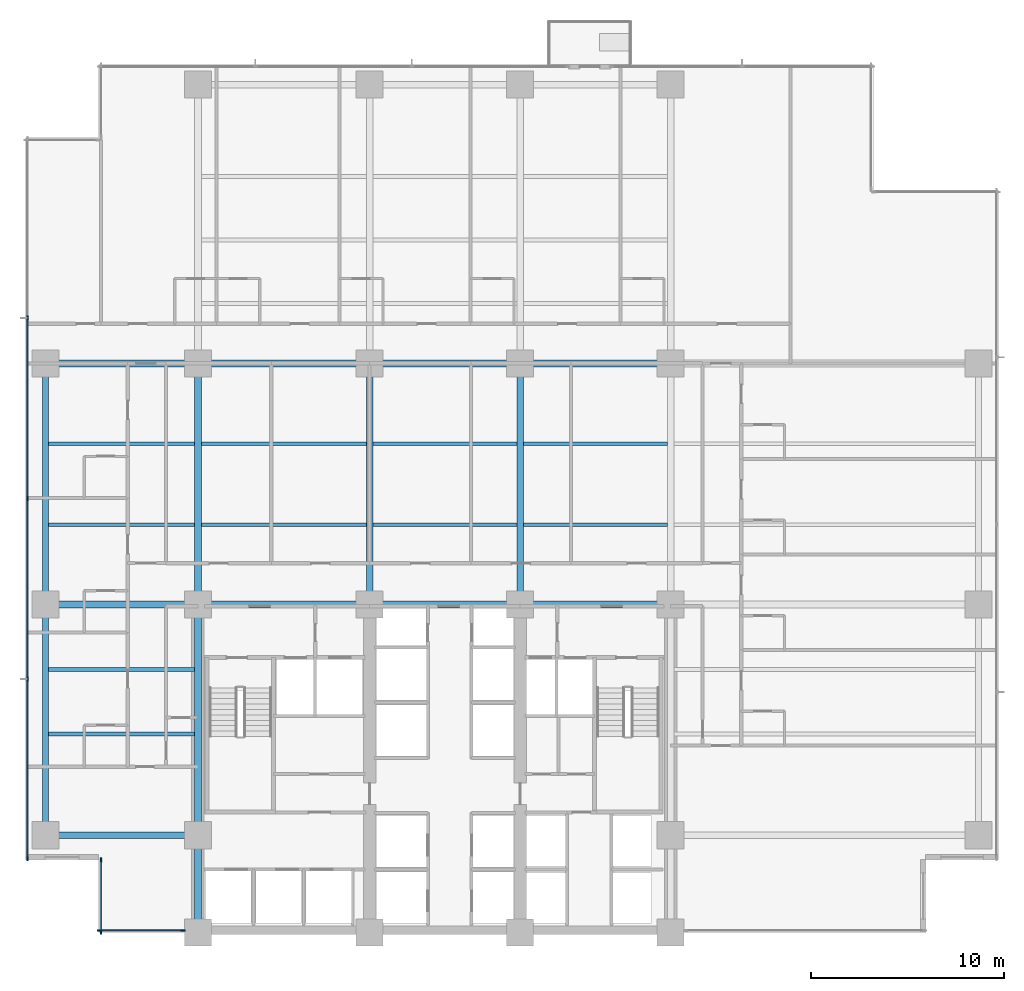
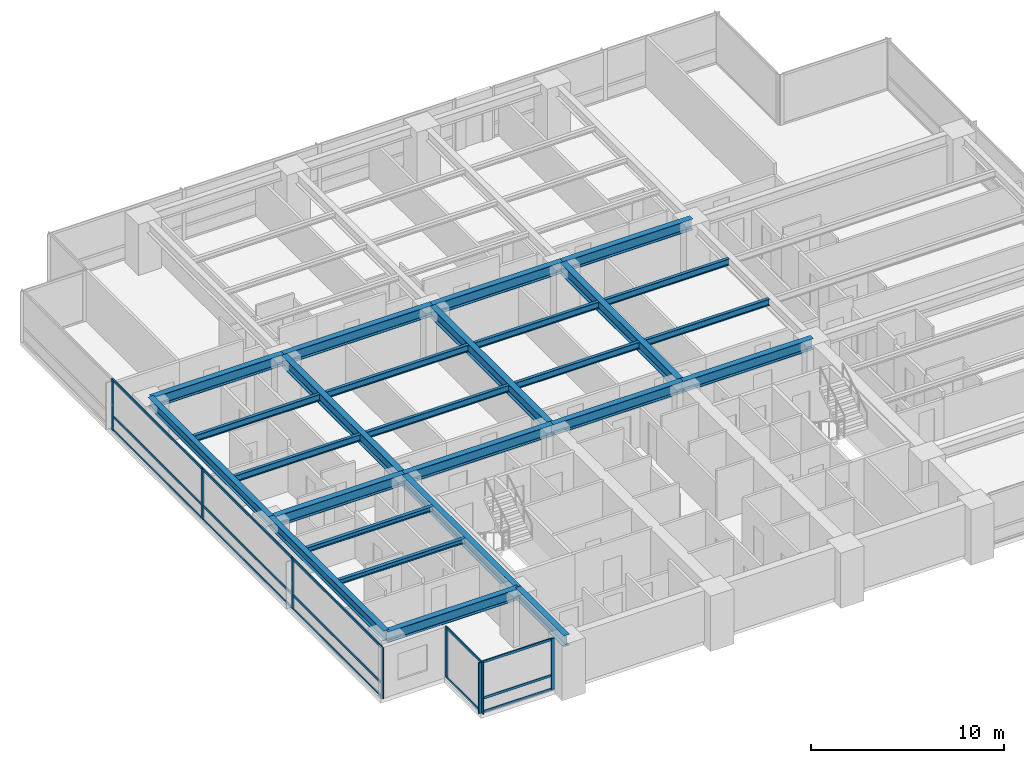
# One storey, part 2 of 17: 26 beams, 22 members, 3 elements without a shape of their own.
"""IFC4 building model written with IfcOpenShell, lengths in metres."""

from ifc_helpers import new_model, si_unit, direction, frame, origin, origin_2d, place, context, subcontext, project, spatial, rectangle, i_section, extrude, material, layer, layer_set, material_profile, profile_set, type_object, element, aggregate, save


model = new_model("IFC4")

# Units and contexts
model_context = context("Model", 3, precision=1e-05, world=origin(), true_north=direction((0.0, 1.0)))
body_context = subcontext(model_context, "Body", "Model", "MODEL_VIEW")
ifc_project = project(units=[si_unit("LENGTHUNIT", "METRE"), si_unit("AREAUNIT", "SQUARE_METRE"), si_unit("VOLUMEUNIT", "CUBIC_METRE"), si_unit("PLANEANGLEUNIT", "RADIAN"), si_unit("MASSUNIT", "GRAM", prefix="KILO")], contexts=[model_context])

# Site, building, storey
site_placement = place(None, origin())
site = spatial("IfcSite", under=ifc_project, at=site_placement, CompositionType="ELEMENT")
building_placement = place(site_placement, origin())
building = spatial("IfcBuilding", under=site, at=building_placement, Name="Qalmaran Belvedere Hotel", CompositionType="ELEMENT")
storey_placement = place(building_placement, frame((0.0, 0.0, 40.39990234375)))
storey = spatial("IfcBuildingStorey", under=building, at=storey_placement, Name="L09", CompositionType="ELEMENT", Elevation=40.39990234375)

# Beams
ifc_material_1 = material(Name="Steel S355JR", Category="steel")
ifc_material_profile_1 = material_profile(ifc_material_1, i_section(OverallWidth=0.202880859375, OverallDepth=0.302978515625, WebThickness=0.007568359375, FlangeThickness=0.01318359375, FilletRadius=0.012939453125, at=origin_2d()), Name="W310X60")
ifc_profile_set_1 = profile_set([ifc_material_profile_1], Name="Steel S355JR")
beam_type_1 = type_object("IfcBeamType", Name="BM-JST-W310X60", PredefinedType="JOIST", material=ifc_profile_set_1)
for number, where, z_axis, x_axis, name in (
    (1, (12.5615234375, 13.800048828125, 3.068603515625), (1.0, 0.0, 0.0), (0.0, 1.0, 0.0), "L09 West Wing Joist 038"),
    (2, (12.5615234375, 17.14990234375, 3.068603515625), (1.0, 0.0, 0.0), (0.0, 1.0, 0.0), "L09 West Wing Joist 040"),
):
    element("IfcBeam", number, at=place(storey_placement, frame(where, z_axis=z_axis, x_axis=x_axis)), inside=storey, type_object=beam_type_1, Name=name, PredefinedType="JOIST", context=body_context, shape_type="SweptSolid", body=[
        extrude(i_section(OverallWidth=0.202880859375, OverallDepth=0.302978515625, WebThickness=0.007568359375, FlangeThickness=0.01318359375, FilletRadius=0.012939453125, at=origin_2d()), origin(), (0.0, 0.0, 1.0), 7.56298828125),
    ])
ifc_material_profile_2 = material_profile(ifc_material_1, i_section(OverallWidth=0.180908203125, OverallDepth=0.4169921875, WebThickness=0.010986328125, FlangeThickness=0.018310546875, FilletRadius=0.014892578125, at=origin_2d()), Name="W410X85")
ifc_profile_set_2 = profile_set([ifc_material_profile_2], Name="Steel S355JR")
beam_type_2 = type_object("IfcBeamType", Name="BM-SB1-W410X85", PredefinedType="BEAM", material=ifc_profile_set_2)
beam_1_placement = place(storey_placement, frame((12.5615234375, 24.64990234375, 3.01171875), z_axis=(1.0, 0.0, 0.0), x_axis=(0.0, 1.0, 0.0)))
element("IfcBeam", 3, at=beam_1_placement, inside=storey, type_object=beam_type_2, Name="L09 West Secondary Beam 028", PredefinedType="BEAM", context=body_context, shape_type="SweptSolid", body=[
    extrude(i_section(OverallWidth=0.180908203125, OverallDepth=0.4169921875, WebThickness=0.010986328125, FlangeThickness=0.018310546875, FilletRadius=0.014892578125, at=origin_2d()), origin(), (0.0, 0.0, 1.0), 7.56298828125),
])
beam_2_placement = place(storey_placement, frame((20.4755859375, 24.64990234375, 3.01171875), z_axis=(1.0, 0.0, 0.0), x_axis=(0.0, 1.0, 0.0)))
element("IfcBeam", 4, at=beam_2_placement, inside=storey, type_object=beam_type_2, Name="L09 Secondary Floor Beam 029", PredefinedType="BEAM", context=body_context, shape_type="SweptSolid", body=[
    extrude(i_section(OverallWidth=0.180908203125, OverallDepth=0.4169921875, WebThickness=0.010986328125, FlangeThickness=0.018310546875, FilletRadius=0.014892578125, at=origin_2d()), origin(), (0.0, 0.0, 1.0), 8.548828125),
])
for number, where, z_axis, x_axis, name in (
    (5, (29.37548828125, 24.64990234375, 3.01171875), (1.0, 0.0, 0.0), (0.0, 1.0, 0.0), "L09 Secondary Floor Beam 030"),
    (6, (37.175537109375, 24.64990234375, 3.01171875), (1.0, 0.0, 0.0), (0.0, 1.0, 0.0), "L09 Secondary Floor Beam 031"),
):
    element("IfcBeam", number, at=place(storey_placement, frame(where, z_axis=z_axis, x_axis=x_axis)), inside=storey, type_object=beam_type_2, Name=name, PredefinedType="BEAM", context=body_context, shape_type="SweptSolid", body=[
        extrude(i_section(OverallWidth=0.180908203125, OverallDepth=0.4169921875, WebThickness=0.010986328125, FlangeThickness=0.018310546875, FilletRadius=0.014892578125, at=origin_2d()), origin(), (0.0, 0.0, 1.0), 7.448974609375),
    ])
beam_3_placement = place(storey_placement, frame((12.5615234375, 28.85009765625, 3.01171875), z_axis=(1.0, 0.0, 0.0), x_axis=(0.0, 1.0, 0.0)))
element("IfcBeam", 7, at=beam_3_placement, inside=storey, type_object=beam_type_2, Name="L09 West Secondary Beam 033", PredefinedType="BEAM", context=body_context, shape_type="SweptSolid", body=[
    extrude(i_section(OverallWidth=0.180908203125, OverallDepth=0.4169921875, WebThickness=0.010986328125, FlangeThickness=0.018310546875, FilletRadius=0.014892578125, at=origin_2d()), origin(), (0.0, 0.0, 1.0), 7.56298828125),
])
beam_4_placement = place(storey_placement, frame((20.4755859375, 28.85009765625, 3.01171875), z_axis=(1.0, 0.0, 0.0), x_axis=(0.0, 1.0, 0.0)))
element("IfcBeam", 8, at=beam_4_placement, inside=storey, type_object=beam_type_2, Name="L09 Secondary Floor Beam 034", PredefinedType="BEAM", context=body_context, shape_type="SweptSolid", body=[
    extrude(i_section(OverallWidth=0.180908203125, OverallDepth=0.4169921875, WebThickness=0.010986328125, FlangeThickness=0.018310546875, FilletRadius=0.014892578125, at=origin_2d()), origin(), (0.0, 0.0, 1.0), 8.548828125),
])
for number, where, z_axis, x_axis, name in (
    (9, (29.37548828125, 28.85009765625, 3.01171875), (1.0, 0.0, 0.0), (0.0, 1.0, 0.0), "L09 Secondary Floor Beam 035"),
    (10, (37.175537109375, 28.85009765625, 3.01171875), (1.0, 0.0, 0.0), (0.0, 1.0, 0.0), "L09 Secondary Floor Beam 036"),
):
    element("IfcBeam", number, at=place(storey_placement, frame(where, z_axis=z_axis, x_axis=x_axis)), inside=storey, type_object=beam_type_2, Name=name, PredefinedType="BEAM", context=body_context, shape_type="SweptSolid", body=[
        extrude(i_section(OverallWidth=0.180908203125, OverallDepth=0.4169921875, WebThickness=0.010986328125, FlangeThickness=0.018310546875, FilletRadius=0.014892578125, at=origin_2d()), origin(), (0.0, 0.0, 1.0), 7.448974609375),
    ])
ifc_material_profile_3 = material_profile(ifc_material_1, i_section(OverallWidth=0.326904296875, OverallDepth=0.6220703125, WebThickness=0.015380859375, FlangeThickness=0.0244140625, FilletRadius=0.02001953125, at=origin_2d()), Name="W610X195")
ifc_profile_set_3 = profile_set([ifc_material_profile_3], Name="Steel S355JR")
beam_type_3 = type_object("IfcBeamType", Name="BM-SP1-W610X195", PredefinedType="SPANDREL", material=ifc_profile_set_3)
beam_5_placement = place(storey_placement, frame((12.39990234375, 8.550048828125, 2.9091796875), z_axis=(0.0, 1.0, 0.0), x_axis=(-1.0, 0.0, 0.0)))
element("IfcBeam", 11, at=beam_5_placement, inside=storey, type_object=beam_type_3, Name="L09 Perimeter Spandrel 01", PredefinedType="SPANDREL", context=body_context, shape_type="SweptSolid", body=[
    extrude(i_section(OverallWidth=0.326904296875, OverallDepth=0.6220703125, WebThickness=0.015380859375, FlangeThickness=0.0244140625, FilletRadius=0.02001953125, at=origin_2d()), origin(), (0.0, 0.0, 1.0), 11.949951171875),
])
beam_6_placement = place(storey_placement, frame((12.39990234375, 20.5, 2.9091796875), z_axis=(0.0, 1.0, 0.0), x_axis=(-1.0, 0.0, 0.0)))
element("IfcBeam", 12, at=beam_6_placement, inside=storey, type_object=beam_type_3, Name="L09 Perimeter Spandrel 02", PredefinedType="SPANDREL", context=body_context, shape_type="SweptSolid", body=[
    extrude(i_section(OverallWidth=0.326904296875, OverallDepth=0.6220703125, WebThickness=0.015380859375, FlangeThickness=0.0244140625, FilletRadius=0.02001953125, at=origin_2d()), origin(), (0.0, 0.0, 1.0), 12.5),
])
ifc_material_profile_4 = material_profile(ifc_material_1, i_section(OverallWidth=0.35498046875, OverallDepth=0.695068359375, WebThickness=0.015380859375, FlangeThickness=0.02490234375, FilletRadius=0.02197265625, at=origin_2d()), Name="W690X217")
ifc_profile_set_4 = profile_set([ifc_material_profile_4], Name="Steel S355JR")
beam_type_4 = type_object("IfcBeamType", Name="BM-Z1-W690X217", PredefinedType="USERDEFINED", material=ifc_profile_set_4)
beam_7_placement = place(storey_placement, frame((20.300048828125, 20.5, 2.87255859375), z_axis=(1.0, 0.0, 0.0), x_axis=(0.0, 1.0, 0.0)))
element("IfcBeam", 13, at=beam_7_placement, inside=storey, type_object=beam_type_4, Name="L09 Interior E-W Girder 08", ObjectType="GIRDER", PredefinedType="USERDEFINED", context=body_context, shape_type="SweptSolid", body=[
    extrude(i_section(OverallWidth=0.35498046875, OverallDepth=0.695068359375, WebThickness=0.015380859375, FlangeThickness=0.02490234375, FilletRadius=0.02197265625, at=origin_2d()), origin(), (0.0, 0.0, 1.0), 8.89990234375),
])
for number, where, z_axis, x_axis, name in (
    (14, (29.199951171875, 20.5, 2.87255859375), (1.0, 0.0, 0.0), (0.0, 1.0, 0.0), "L09 Interior E-W Girder 09"),
    (15, (37.0, 20.5, 2.87255859375), (1.0, 0.0, 0.0), (0.0, 1.0, 0.0), "L09 Interior E-W Girder 10"),
):
    element("IfcBeam", number, at=place(storey_placement, frame(where, z_axis=z_axis, x_axis=x_axis)), inside=storey, type_object=beam_type_4, Name=name, ObjectType="GIRDER", PredefinedType="USERDEFINED", context=body_context, shape_type="SweptSolid", body=[
        extrude(i_section(OverallWidth=0.35498046875, OverallDepth=0.695068359375, WebThickness=0.015380859375, FlangeThickness=0.02490234375, FilletRadius=0.02197265625, at=origin_2d()), origin(), (0.0, 0.0, 1.0), 7.800048828125),
    ])
beam_8_placement = place(storey_placement, frame((20.300048828125, 33.0, 2.87255859375), z_axis=(1.0, 0.0, 0.0), x_axis=(0.0, 1.0, 0.0)))
element("IfcBeam", 16, at=beam_8_placement, inside=storey, type_object=beam_type_4, Name="L09 Interior E-W Girder 11", ObjectType="GIRDER", PredefinedType="USERDEFINED", context=body_context, shape_type="SweptSolid", body=[
    extrude(i_section(OverallWidth=0.35498046875, OverallDepth=0.695068359375, WebThickness=0.015380859375, FlangeThickness=0.02490234375, FilletRadius=0.02197265625, at=origin_2d()), origin(), (0.0, 0.0, 1.0), 8.89990234375),
])
for number, where, z_axis, x_axis, name in (
    (17, (29.199951171875, 33.0, 2.87255859375), (1.0, 0.0, 0.0), (0.0, 1.0, 0.0), "L09 Interior E-W Girder 12"),
    (18, (37.0, 33.0, 2.87255859375), (1.0, 0.0, 0.0), (0.0, 1.0, 0.0), "L09 Interior E-W Girder 13"),
):
    element("IfcBeam", number, at=place(storey_placement, frame(where, z_axis=z_axis, x_axis=x_axis)), inside=storey, type_object=beam_type_4, Name=name, ObjectType="GIRDER", PredefinedType="USERDEFINED", context=body_context, shape_type="SweptSolid", body=[
        extrude(i_section(OverallWidth=0.35498046875, OverallDepth=0.695068359375, WebThickness=0.015380859375, FlangeThickness=0.02490234375, FilletRadius=0.02197265625, at=origin_2d()), origin(), (0.0, 0.0, 1.0), 7.800048828125),
    ])
for number, where, z_axis, x_axis, name in (
    (19, (20.300048828125, 20.5, 2.87255859375), (0.0, 1.0, 0.0), (-1.0, 0.0, 0.0), "L09 Mid-Plate N-S Girder 14"),
    (20, (29.199951171875, 20.5, 2.87255859375), (0.0, 1.0, 0.0), (-1.0, 0.0, 0.0), "L09 Mid-Plate N-S Girder 16"),
    (21, (37.0, 20.5, 2.87255859375), (0.0, 1.0, 0.0), (-1.0, 0.0, 0.0), "L09 Mid-Plate N-S Girder 18"),
):
    element("IfcBeam", number, at=place(storey_placement, frame(where, z_axis=z_axis, x_axis=x_axis)), inside=storey, type_object=beam_type_4, Name=name, ObjectType="GIRDER", PredefinedType="USERDEFINED", context=body_context, shape_type="SweptSolid", body=[
        extrude(i_section(OverallWidth=0.35498046875, OverallDepth=0.695068359375, WebThickness=0.015380859375, FlangeThickness=0.02490234375, FilletRadius=0.02197265625, at=origin_2d()), origin(), (0.0, 0.0, 1.0), 12.5),
    ])
for number, where, z_axis, x_axis, name in (
    (22, (12.39990234375, 8.550048828125, 2.87255859375), (1.0, 0.0, 0.0), (0.0, 1.0, 0.0), "L09 West Wing Girder 22"),
    (23, (12.39990234375, 20.5, 2.87255859375), (1.0, 0.0, 0.0), (0.0, 1.0, 0.0), "L09 West Wing Girder 23"),
    (24, (12.39990234375, 33.0, 2.87255859375), (1.0, 0.0, 0.0), (0.0, 1.0, 0.0), "L09 West Wing Girder 24"),
):
    element("IfcBeam", number, at=place(storey_placement, frame(where, z_axis=z_axis, x_axis=x_axis)), inside=storey, type_object=beam_type_4, Name=name, ObjectType="GIRDER", PredefinedType="USERDEFINED", context=body_context, shape_type="SweptSolid", body=[
        extrude(i_section(OverallWidth=0.35498046875, OverallDepth=0.695068359375, WebThickness=0.015380859375, FlangeThickness=0.02490234375, FilletRadius=0.02197265625, at=origin_2d()), origin(), (0.0, 0.0, 1.0), 7.900146484375),
    ])
beam_9_placement = place(storey_placement, frame((20.300048828125, 3.5, 2.87255859375), z_axis=(0.0, 1.0, 0.0), x_axis=(-1.0, 0.0, 0.0)))
element("IfcBeam", 25, at=beam_9_placement, inside=storey, type_object=beam_type_4, Name="L09 West Core Edge Girder A", ObjectType="GIRDER", PredefinedType="USERDEFINED", context=body_context, shape_type="SweptSolid", body=[
    extrude(i_section(OverallWidth=0.35498046875, OverallDepth=0.695068359375, WebThickness=0.015380859375, FlangeThickness=0.02490234375, FilletRadius=0.02197265625, at=origin_2d()), origin(), (0.0, 0.0, 1.0), 5.050048828125),
])
beam_10_placement = place(storey_placement, frame((20.300048828125, 8.550048828125, 2.87255859375), z_axis=(0.0, 1.0, 0.0), x_axis=(-1.0, 0.0, 0.0)))
element("IfcBeam", 26, at=beam_10_placement, inside=storey, type_object=beam_type_4, Name="L09 West Core Edge Girder B", ObjectType="GIRDER", PredefinedType="USERDEFINED", context=body_context, shape_type="SweptSolid", body=[
    extrude(i_section(OverallWidth=0.35498046875, OverallDepth=0.695068359375, WebThickness=0.015380859375, FlangeThickness=0.02490234375, FilletRadius=0.02197265625, at=origin_2d()), origin(), (0.0, 0.0, 1.0), 11.949951171875),
])

# Curtain wall, members
ifc_material_2 = material(Name="Anodised Bronze Aluminium", Category="aluminium")
ifc_layer = layer(ifc_material_2, 0.2099609375, Name="Anodised Bronze Aluminium")
ifc_layer_set = layer_set([ifc_layer], Name="Anodised Bronze Aluminium")
curtain_wall_type = type_object("IfcCurtainWallType", Name="CW2-TOWER-LOWER", PredefinedType="NOTDEFINED", material=ifc_layer_set)
curtain_wall_1_placement = place(storey_placement, origin())
curtain_wall_1 = element("IfcCurtainWall", 27, at=curtain_wall_1_placement, inside=storey, type_object=curtain_wall_type, Name="L09 Curtain Wall CW2", PredefinedType="NOTDEFINED")
ifc_material_profile_5 = material_profile(ifc_material_2, rectangle(XDim=0.074951171875, YDim=0.219970703125, at=origin_2d()), Name="CWM75X220")
ifc_profile_set_5 = profile_set([ifc_material_profile_5], Name="Anodised Bronze Aluminium")
member_type_1 = type_object("IfcMemberType", Name="CWM-75X220", PredefinedType="MULLION", material=ifc_profile_set_5)
member_1_placement = place(storey_placement, frame((15.1875, 3.6201171875, 0.0), z_axis=(0.0, 0.0, 1.0), x_axis=(0.0, 1.0, 0.0)))
member_1 = element("IfcMember", 28, at=member_1_placement, type_object=member_type_1, Name="CW2 mullion 1", PredefinedType="MULLION", context=body_context, shape_type="SweptSolid", body=[
    extrude(rectangle(XDim=0.074951171875, YDim=0.219970703125, at=origin_2d()), origin(), (0.0, 0.0, 1.0), 3.22021484375),
])
member_2_placement = place(storey_placement, frame((19.5224609375, 3.6201171875, 0.0), z_axis=(0.0, 0.0, 1.0), x_axis=(0.0, 1.0, 0.0)))
member_2 = element("IfcMember", 29, at=member_2_placement, type_object=member_type_1, Name="CW2 mullion 2", PredefinedType="MULLION", context=body_context, shape_type="SweptSolid", body=[
    extrude(rectangle(XDim=0.074951171875, YDim=0.219970703125, at=origin_2d()), origin(), (0.0, 0.0, 1.0), 3.22021484375),
])

curtain_wall_2_placement = place(storey_placement, origin())
curtain_wall_2 = element("IfcCurtainWall", 30, at=curtain_wall_2_placement, inside=storey, type_object=curtain_wall_type, Name="L09 Curtain Wall CW2", PredefinedType="NOTDEFINED")
member_3_placement = place(storey_placement, frame((11.469970703125, 35.35009765625, 0.0), z_axis=(0.0, 0.0, 1.0), x_axis=(1.0, 0.0, 0.0)))
member_3 = element("IfcMember", 31, at=member_3_placement, type_object=member_type_1, Name="CW2 mullion 2", PredefinedType="MULLION", context=body_context, shape_type="SweptSolid", body=[
    extrude(rectangle(XDim=0.074951171875, YDim=0.219970703125, at=origin_2d()), origin(), (0.0, 0.0, 1.0), 3.22021484375),
])
member_4_placement = place(storey_placement, frame((11.469970703125, 26.0, 0.0), z_axis=(0.0, 0.0, 1.0), x_axis=(1.0, 0.0, 0.0)))
member_4 = element("IfcMember", 32, at=member_4_placement, type_object=member_type_1, Name="CW2 mullion 3", PredefinedType="MULLION", context=body_context, shape_type="SweptSolid", body=[
    extrude(rectangle(XDim=0.074951171875, YDim=0.219970703125, at=origin_2d()), origin(), (0.0, 0.0, 1.0), 3.22021484375),
])
member_5_placement = place(storey_placement, frame((11.469970703125, 16.64990234375, 0.0), z_axis=(0.0, 0.0, 1.0), x_axis=(1.0, 0.0, 0.0)))
member_5 = element("IfcMember", 33, at=member_5_placement, type_object=member_type_1, Name="CW2 mullion 4", PredefinedType="MULLION", context=body_context, shape_type="SweptSolid", body=[
    extrude(rectangle(XDim=0.074951171875, YDim=0.219970703125, at=origin_2d()), origin(), (0.0, 0.0, 1.0), 3.22021484375),
])
member_6_placement = place(storey_placement, frame((11.469970703125, 7.33740234375, 0.0), z_axis=(0.0, 0.0, 1.0), x_axis=(1.0, 0.0, 0.0)))
member_6 = element("IfcMember", 34, at=member_6_placement, type_object=member_type_1, Name="CW2 mullion 5", PredefinedType="MULLION", context=body_context, shape_type="SweptSolid", body=[
    extrude(rectangle(XDim=0.074951171875, YDim=0.219970703125, at=origin_2d()), origin(), (0.0, 0.0, 1.0), 3.22021484375),
])

curtain_wall_3_placement = place(storey_placement, origin())
curtain_wall_3 = element("IfcCurtainWall", 35, at=curtain_wall_3_placement, inside=storey, type_object=curtain_wall_type, Name="L09 Curtain Wall CW2", PredefinedType="NOTDEFINED")
member_7_placement = place(storey_placement, frame((15.27001953125, 7.262451171875, 0.0), z_axis=(0.0, 0.0, 1.0), x_axis=(1.0, 0.0, 0.0)))
member_7 = element("IfcMember", 36, at=member_7_placement, type_object=member_type_1, Name="CW2 mullion 1", PredefinedType="MULLION", context=body_context, shape_type="SweptSolid", body=[
    extrude(rectangle(XDim=0.074951171875, YDim=0.219970703125, at=origin_2d()), origin(), (0.0, 0.0, 1.0), 3.22021484375),
])
member_8_placement = place(storey_placement, frame((15.27001953125, 3.53759765625, 0.0), z_axis=(0.0, 0.0, 1.0), x_axis=(1.0, 0.0, 0.0)))
member_8 = element("IfcMember", 37, at=member_8_placement, type_object=member_type_1, Name="CW2 mullion 2", PredefinedType="MULLION", context=body_context, shape_type="SweptSolid", body=[
    extrude(rectangle(XDim=0.074951171875, YDim=0.219970703125, at=origin_2d()), origin(), (0.0, 0.0, 1.0), 3.22021484375),
])

# Member
ifc_material_profile_6 = material_profile(ifc_material_2, rectangle(XDim=0.070068359375, YDim=0.14990234375, at=origin_2d()), Name="CWT70X150")
ifc_profile_set_6 = profile_set([ifc_material_profile_6], Name="Anodised Bronze Aluminium")
member_type_2 = type_object("IfcMemberType", Name="CWT-70X150", PredefinedType="USERDEFINED", material=ifc_profile_set_6)
member_9_placement = place(storey_placement, frame((15.22509765625, 3.6201171875, 0.03515625), z_axis=(1.0, 0.0, 0.0), x_axis=(0.0, 1.0, 0.0)))
member_9 = element("IfcMember", 38, at=member_9_placement, type_object=member_type_2, Name="CW2 transom 1.1", ObjectType="TRANSOM", PredefinedType="USERDEFINED", context=body_context, shape_type="SweptSolid", body=[
    extrude(rectangle(XDim=0.070068359375, YDim=0.14990234375, at=origin_2d()), origin(), (0.0, 0.0, 1.0), 4.260009765625),
])

member_10_placement = place(storey_placement, frame((15.22509765625, 3.6201171875, 0.901611328125), z_axis=(1.0, 0.0, 0.0), x_axis=(0.0, 1.0, 0.0)))
member_10 = element("IfcMember", 39, at=member_10_placement, type_object=member_type_2, Name="CW2 transom 1.2", ObjectType="TRANSOM", PredefinedType="USERDEFINED", context=body_context, shape_type="SweptSolid", body=[
    extrude(rectangle(XDim=0.070068359375, YDim=0.14990234375, at=origin_2d()), origin(), (0.0, 0.0, 1.0), 4.260009765625),
])

member_11_placement = place(storey_placement, frame((15.22509765625, 3.6201171875, 3.18505859375), z_axis=(1.0, 0.0, 0.0), x_axis=(0.0, 1.0, 0.0)))
member_11 = element("IfcMember", 40, at=member_11_placement, type_object=member_type_2, Name="CW2 transom 1.3", ObjectType="TRANSOM", PredefinedType="USERDEFINED", context=body_context, shape_type="SweptSolid", body=[
    extrude(rectangle(XDim=0.070068359375, YDim=0.14990234375, at=origin_2d()), origin(), (0.0, 0.0, 1.0), 4.260009765625),
])

aggregate(curtain_wall_1, [member_1, member_2, member_9, member_10, member_11])

member_12_placement = place(storey_placement, frame((11.469970703125, 35.3125, 0.03515625), z_axis=(0.0, -1.0, 0.0), x_axis=(1.0, 0.0, 0.0)))
member_12 = element("IfcMember", 41, at=member_12_placement, type_object=member_type_2, Name="CW2 transom 2.1", ObjectType="TRANSOM", PredefinedType="USERDEFINED", context=body_context, shape_type="SweptSolid", body=[
    extrude(rectangle(XDim=0.070068359375, YDim=0.14990234375, at=origin_2d()), origin(), (0.0, 0.0, 1.0), 9.27490234375),
])

member_13_placement = place(storey_placement, frame((11.469970703125, 35.3125, 0.901611328125), z_axis=(0.0, -1.0, 0.0), x_axis=(1.0, 0.0, 0.0)))
member_13 = element("IfcMember", 42, at=member_13_placement, type_object=member_type_2, Name="CW2 transom 2.2", ObjectType="TRANSOM", PredefinedType="USERDEFINED", context=body_context, shape_type="SweptSolid", body=[
    extrude(rectangle(XDim=0.070068359375, YDim=0.14990234375, at=origin_2d()), origin(), (0.0, 0.0, 1.0), 9.27490234375),
])

member_14_placement = place(storey_placement, frame((11.469970703125, 35.3125, 3.18505859375), z_axis=(0.0, -1.0, 0.0), x_axis=(1.0, 0.0, 0.0)))
member_14 = element("IfcMember", 43, at=member_14_placement, type_object=member_type_2, Name="CW2 transom 2.3", ObjectType="TRANSOM", PredefinedType="USERDEFINED", context=body_context, shape_type="SweptSolid", body=[
    extrude(rectangle(XDim=0.070068359375, YDim=0.14990234375, at=origin_2d()), origin(), (0.0, 0.0, 1.0), 9.27490234375),
])

member_15_placement = place(storey_placement, frame((11.469970703125, 25.96240234375, 0.03515625), z_axis=(0.0, -1.0, 0.0), x_axis=(1.0, 0.0, 0.0)))
member_15 = element("IfcMember", 44, at=member_15_placement, type_object=member_type_2, Name="CW2 transom 3.1", ObjectType="TRANSOM", PredefinedType="USERDEFINED", context=body_context, shape_type="SweptSolid", body=[
    extrude(rectangle(XDim=0.070068359375, YDim=0.14990234375, at=origin_2d()), origin(), (0.0, 0.0, 1.0), 9.27490234375),
])

member_16_placement = place(storey_placement, frame((11.469970703125, 25.96240234375, 0.901611328125), z_axis=(0.0, -1.0, 0.0), x_axis=(1.0, 0.0, 0.0)))
member_16 = element("IfcMember", 45, at=member_16_placement, type_object=member_type_2, Name="CW2 transom 3.2", ObjectType="TRANSOM", PredefinedType="USERDEFINED", context=body_context, shape_type="SweptSolid", body=[
    extrude(rectangle(XDim=0.070068359375, YDim=0.14990234375, at=origin_2d()), origin(), (0.0, 0.0, 1.0), 9.27490234375),
])

member_17_placement = place(storey_placement, frame((11.469970703125, 25.96240234375, 3.18505859375), z_axis=(0.0, -1.0, 0.0), x_axis=(1.0, 0.0, 0.0)))
member_17 = element("IfcMember", 46, at=member_17_placement, type_object=member_type_2, Name="CW2 transom 3.3", ObjectType="TRANSOM", PredefinedType="USERDEFINED", context=body_context, shape_type="SweptSolid", body=[
    extrude(rectangle(XDim=0.070068359375, YDim=0.14990234375, at=origin_2d()), origin(), (0.0, 0.0, 1.0), 9.27490234375),
])

member_18_placement = place(storey_placement, frame((11.469970703125, 16.612548828125, 0.03515625), z_axis=(0.0, -1.0, 0.0), x_axis=(1.0, 0.0, 0.0)))
member_18 = element("IfcMember", 47, at=member_18_placement, type_object=member_type_2, Name="CW2 transom 4.1", ObjectType="TRANSOM", PredefinedType="USERDEFINED", context=body_context, shape_type="SweptSolid", body=[
    extrude(rectangle(XDim=0.070068359375, YDim=0.14990234375, at=origin_2d()), origin(), (0.0, 0.0, 1.0), 9.237548828125),
])

member_19_placement = place(storey_placement, frame((11.469970703125, 16.612548828125, 0.901611328125), z_axis=(0.0, -1.0, 0.0), x_axis=(1.0, 0.0, 0.0)))
member_19 = element("IfcMember", 48, at=member_19_placement, type_object=member_type_2, Name="CW2 transom 4.2", ObjectType="TRANSOM", PredefinedType="USERDEFINED", context=body_context, shape_type="SweptSolid", body=[
    extrude(rectangle(XDim=0.070068359375, YDim=0.14990234375, at=origin_2d()), origin(), (0.0, 0.0, 1.0), 9.237548828125),
])

member_20_placement = place(storey_placement, frame((11.469970703125, 16.612548828125, 3.18505859375), z_axis=(0.0, -1.0, 0.0), x_axis=(1.0, 0.0, 0.0)))
member_20 = element("IfcMember", 49, at=member_20_placement, type_object=member_type_2, Name="CW2 transom 4.3", ObjectType="TRANSOM", PredefinedType="USERDEFINED", context=body_context, shape_type="SweptSolid", body=[
    extrude(rectangle(XDim=0.070068359375, YDim=0.14990234375, at=origin_2d()), origin(), (0.0, 0.0, 1.0), 9.237548828125),
])

aggregate(curtain_wall_2, [member_3, member_4, member_5, member_6, member_12, member_13, member_14, member_15, member_16, member_17, member_18, member_19, member_20])

member_21_placement = place(storey_placement, frame((15.27001953125, 7.22509765625, 0.03515625), z_axis=(0.0, -1.0, 0.0), x_axis=(1.0, 0.0, 0.0)))
member_21 = element("IfcMember", 50, at=member_21_placement, type_object=member_type_2, Name="CW2 transom 1.1", ObjectType="TRANSOM", PredefinedType="USERDEFINED", context=body_context, shape_type="SweptSolid", body=[
    extrude(rectangle(XDim=0.070068359375, YDim=0.14990234375, at=origin_2d()), origin(), (0.0, 0.0, 1.0), 3.650146484375),
])

member_22_placement = place(storey_placement, frame((15.27001953125, 7.22509765625, 3.18505859375), z_axis=(0.0, -1.0, 0.0), x_axis=(1.0, 0.0, 0.0)))
member_22 = element("IfcMember", 51, at=member_22_placement, type_object=member_type_2, Name="CW2 transom 1.2", ObjectType="TRANSOM", PredefinedType="USERDEFINED", context=body_context, shape_type="SweptSolid", body=[
    extrude(rectangle(XDim=0.070068359375, YDim=0.14990234375, at=origin_2d()), origin(), (0.0, 0.0, 1.0), 3.650146484375),
])

aggregate(curtain_wall_3, [member_7, member_8, member_21, member_22])

save(model, "model.ifc")
